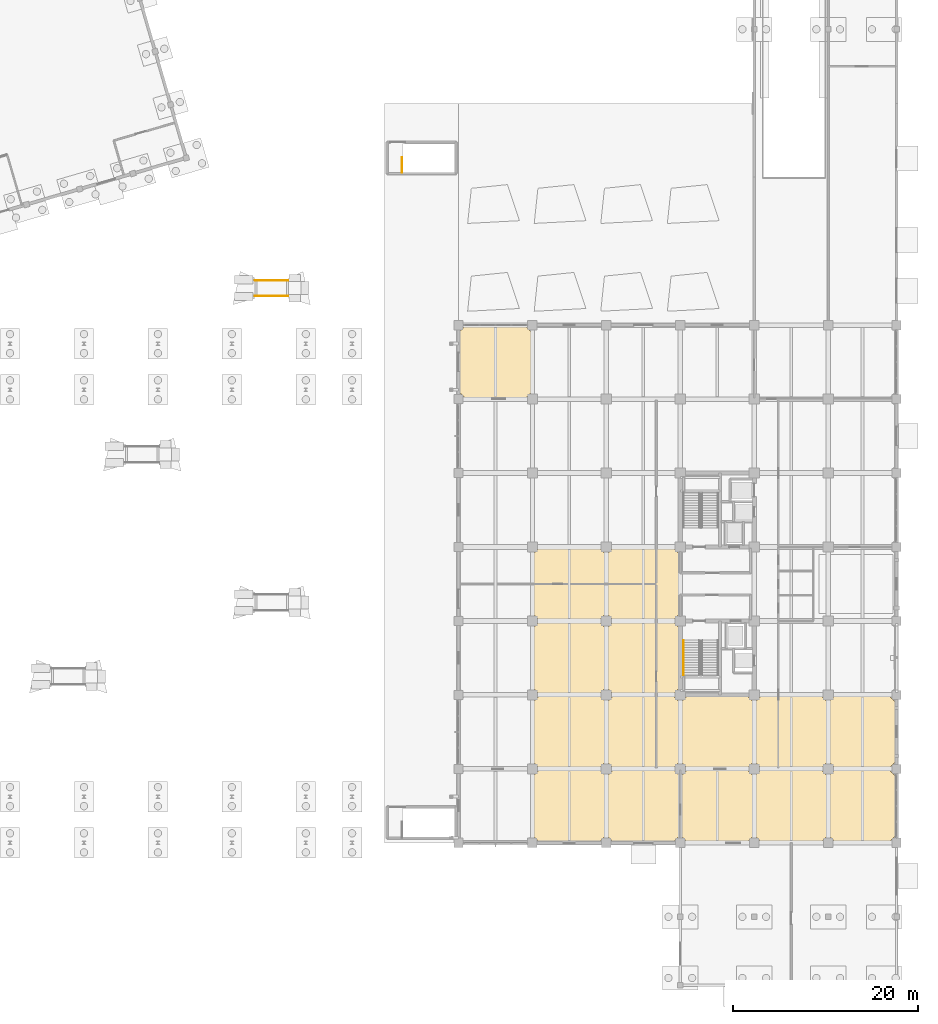
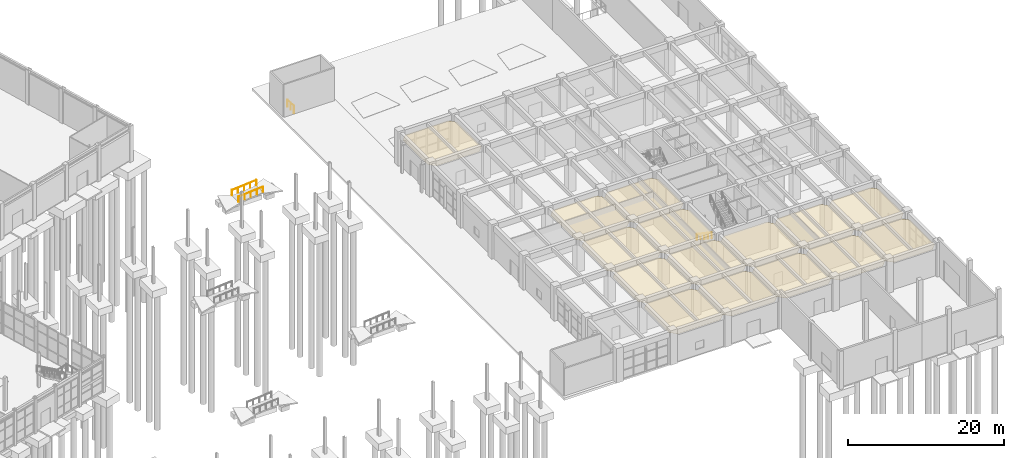
# One storey, part 86 of 90: 15 coverings, 4 railings.
"""IFC4 building model written with IfcOpenShell, lengths in metres."""

from ifc_helpers import new_model, si_unit, direction, frame, origin, origin_2d, place, context, subcontext, project, spatial, polyline, circle, outline, extrude, material, layer, layer_set, type_object, element, save


model = new_model("IFC4")

# Units and contexts
model_context = context("Model", 3, precision=1e-05, world=origin(), true_north=direction((0.0, 1.0)))
body_context = subcontext(model_context, "Body", "Model", "MODEL_VIEW")
ifc_project = project(units=[si_unit("LENGTHUNIT", "METRE"), si_unit("AREAUNIT", "SQUARE_METRE"), si_unit("VOLUMEUNIT", "CUBIC_METRE"), si_unit("PLANEANGLEUNIT", "RADIAN"), si_unit("MASSUNIT", "GRAM", prefix="KILO")], contexts=[model_context])

# Site, building, storey
site_placement = place(None, origin())
site = spatial("IfcSite", under=ifc_project, at=site_placement, CompositionType="ELEMENT")
building_placement = place(site_placement, origin())
building = spatial("IfcBuilding", under=site, at=building_placement, Name="Canggui Botanical Conservatory", CompositionType="ELEMENT")
storey_placement = place(building_placement, origin())
storey = spatial("IfcBuildingStorey", under=building, at=storey_placement, Name="L01", CompositionType="ELEMENT", Elevation=0.0)

# Coverings
ifc_material_1 = material(Name="Mineral Fibre Acoustic Board")
ifc_layer_1 = layer(ifc_material_1, 0.014892578125, Name="Mineral Fibre Acoustic Board")
ifc_layer_set_1 = layer_set([ifc_layer_1], Name="Mineral Fibre Acoustic Board")
covering_type_1 = type_object("IfcCoveringType", Name="COV-CEIL-15", PredefinedType="CEILING", material=ifc_layer_set_1)
covering_1_placement = place(storey_placement, frame((0.0, 0.0, 4.155029296875)))
element("IfcCovering", 1, at=covering_1_placement, inside=storey, type_object=covering_type_1, Name="Suspended Acoustic Ceiling L01-130-74", PredefinedType="CEILING", context=body_context, shape_type="SweptSolid", body=[
    extrude(outline(polyline([(130.85009765625, 74.0), (137.14990234375, 74.0), (138.0, 74.85009765625), (138.0, 81.14990234375), (137.14990234375, 82.0), (130.85009765625, 82.0), (130.0, 81.14990234375), (130.0, 74.85009765625), (130.85009765625, 74.0)])), origin(), (0.0, 0.0, 1.0), 0.014892578125),
])
covering_2_placement = place(storey_placement, frame((0.0, 0.0, 4.155029296875)))
element("IfcCovering", 2, at=covering_2_placement, inside=storey, type_object=covering_type_1, Name="Suspended Acoustic Ceiling L01-138-34", PredefinedType="CEILING", context=body_context, shape_type="SweptSolid", body=[
    extrude(outline(polyline([(138.85009765625, 34.0), (145.14990234375, 34.0), (146.0, 34.85009765625), (146.0, 41.14990234375), (145.14990234375, 42.0), (138.85009765625, 42.0), (138.0, 41.14990234375), (138.0, 34.85009765625), (138.85009765625, 34.0)])), origin(), (0.0, 0.0, 1.0), 0.014892578125),
])
covering_3_placement = place(storey_placement, frame((0.0, 0.0, 4.155029296875)))
element("IfcCovering", 3, at=covering_3_placement, inside=storey, type_object=covering_type_1, Name="Suspended Acoustic Ceiling L01-138-50", PredefinedType="CEILING", context=body_context, shape_type="SweptSolid", body=[
    extrude(outline(polyline([(138.85009765625, 50.0), (145.14990234375, 50.0), (146.0, 50.85009765625), (146.0, 57.14990234375), (145.14990234375, 58.0), (138.85009765625, 58.0), (138.0, 57.14990234375), (138.0, 50.85009765625), (138.85009765625, 50.0)])), origin(), (0.0, 0.0, 1.0), 0.014892578125),
])
covering_4_placement = place(storey_placement, frame((0.0, 0.0, 4.155029296875)))
element("IfcCovering", 4, at=covering_4_placement, inside=storey, type_object=covering_type_1, Name="Suspended Acoustic Ceiling L01-146-26", PredefinedType="CEILING", context=body_context, shape_type="SweptSolid", body=[
    extrude(outline(polyline([(146.85009765625, 26.0), (153.14990234375, 26.0), (154.0, 26.85009765625), (154.0, 33.14990234375), (153.14990234375, 34.0), (146.85009765625, 34.0), (146.0, 33.14990234375), (146.0, 26.85009765625), (146.85009765625, 26.0)])), origin(), (0.0, 0.0, 1.0), 0.014892578125),
])
covering_5_placement = place(storey_placement, frame((0.0, 0.0, 4.155029296875)))
element("IfcCovering", 5, at=covering_5_placement, inside=storey, type_object=covering_type_1, Name="Suspended Acoustic Ceiling L01-146-42", PredefinedType="CEILING", context=body_context, shape_type="SweptSolid", body=[
    extrude(outline(polyline([(146.85009765625, 42.0), (153.14990234375, 42.0), (154.0, 42.85009765625), (154.0, 49.14990234375), (153.14990234375, 50.0), (146.85009765625, 50.0), (146.0, 49.14990234375), (146.0, 42.85009765625), (146.85009765625, 42.0)])), origin(), (0.0, 0.0, 1.0), 0.014892578125),
])
covering_6_placement = place(storey_placement, frame((0.0, 0.0, 4.155029296875)))
element("IfcCovering", 6, at=covering_6_placement, inside=storey, type_object=covering_type_1, Name="Suspended Acoustic Ceiling L01-154-34", PredefinedType="CEILING", context=body_context, shape_type="SweptSolid", body=[
    extrude(outline(polyline([(154.85009765625, 34.0), (161.14990234375, 34.0), (162.0, 34.85009765625), (162.0, 41.14990234375), (161.14990234375, 42.0), (154.85009765625, 42.0), (154.0, 41.14990234375), (154.0, 34.85009765625), (154.85009765625, 34.0)])), origin(), (0.0, 0.0, 1.0), 0.014892578125),
])
covering_7_placement = place(storey_placement, frame((0.0, 0.0, 4.155029296875)))
element("IfcCovering", 7, at=covering_7_placement, inside=storey, type_object=covering_type_1, Name="Suspended Acoustic Ceiling L01-162-26", PredefinedType="CEILING", context=body_context, shape_type="SweptSolid", body=[
    extrude(outline(polyline([(162.85009765625, 26.0), (169.14990234375, 26.0), (170.0, 26.85009765625), (170.0, 33.14990234375), (169.14990234375, 34.0), (162.85009765625, 34.0), (162.0, 33.14990234375), (162.0, 26.85009765625), (162.85009765625, 26.0)])), origin(), (0.0, 0.0, 1.0), 0.014892578125),
])
covering_8_placement = place(storey_placement, frame((0.0, 0.0, 4.155029296875)))
element("IfcCovering", 8, at=covering_8_placement, inside=storey, type_object=covering_type_1, Name="Suspended Acoustic Ceiling L01-170-34", PredefinedType="CEILING", context=body_context, shape_type="SweptSolid", body=[
    extrude(outline(polyline([(170.85009765625, 34.0), (176.5, 34.0), (177.35009765625, 34.85009765625), (177.35009765625, 41.14990234375), (176.5, 42.0), (170.85009765625, 42.0), (170.0, 41.14990234375), (170.0, 34.85009765625), (170.85009765625, 34.0)])), origin(), (0.0, 0.0, 1.0), 0.014892578125),
])
ifc_material_2 = material(Name="Perforated Gypsum Acoustic Panel")
ifc_layer_2 = layer(ifc_material_2, 0.02001953125, Name="Perforated Gypsum Acoustic Panel")
ifc_layer_set_2 = layer_set([ifc_layer_2], Name="Perforated Gypsum Acoustic Panel")
covering_type_2 = type_object("IfcCoveringType", Name="COV-CEIL-20", PredefinedType="CEILING", material=ifc_layer_set_2)
covering_9_placement = place(storey_placement, frame((0.0, 0.0, 4.14990234375)))
element("IfcCovering", 9, at=covering_9_placement, inside=storey, type_object=covering_type_2, Name="Suspended Acoustic Ceiling L01-138-26", PredefinedType="CEILING", context=body_context, shape_type="SweptSolid", body=[
    extrude(outline(polyline([(138.85009765625, 26.0), (145.14990234375, 26.0), (146.0, 26.85009765625), (146.0, 33.14990234375), (145.14990234375, 34.0), (138.85009765625, 34.0), (138.0, 33.14990234375), (138.0, 26.85009765625), (138.85009765625, 26.0)])), origin(), (0.0, 0.0, 1.0), 0.02001953125),
])
covering_10_placement = place(storey_placement, frame((0.0, 0.0, 4.14990234375)))
element("IfcCovering", 10, at=covering_10_placement, inside=storey, type_object=covering_type_2, Name="Suspended Acoustic Ceiling L01-138-42", PredefinedType="CEILING", context=body_context, shape_type="SweptSolid", body=[
    extrude(outline(polyline([(138.85009765625, 42.0), (145.14990234375, 42.0), (146.0, 42.85009765625), (146.0, 49.14990234375), (145.14990234375, 50.0), (138.85009765625, 50.0), (138.0, 49.14990234375), (138.0, 42.85009765625), (138.85009765625, 42.0)])), origin(), (0.0, 0.0, 1.0), 0.02001953125),
])
covering_11_placement = place(storey_placement, frame((0.0, 0.0, 4.14990234375)))
element("IfcCovering", 11, at=covering_11_placement, inside=storey, type_object=covering_type_2, Name="Suspended Acoustic Ceiling L01-146-34", PredefinedType="CEILING", context=body_context, shape_type="SweptSolid", body=[
    extrude(outline(polyline([(146.85009765625, 34.0), (153.14990234375, 34.0), (154.0, 34.85009765625), (154.0, 41.14990234375), (153.14990234375, 42.0), (146.85009765625, 42.0), (146.0, 41.14990234375), (146.0, 34.85009765625), (146.85009765625, 34.0)])), origin(), (0.0, 0.0, 1.0), 0.02001953125),
])
covering_12_placement = place(storey_placement, frame((0.0, 0.0, 4.14990234375)))
element("IfcCovering", 12, at=covering_12_placement, inside=storey, type_object=covering_type_2, Name="Suspended Acoustic Ceiling L01-146-50", PredefinedType="CEILING", context=body_context, shape_type="SweptSolid", body=[
    extrude(outline(polyline([(146.85009765625, 50.0), (153.14990234375, 50.0), (154.0, 50.85009765625), (154.0, 57.14990234375), (153.14990234375, 58.0), (146.85009765625, 58.0), (146.0, 57.14990234375), (146.0, 50.85009765625), (146.85009765625, 50.0)])), origin(), (0.0, 0.0, 1.0), 0.02001953125),
])
covering_13_placement = place(storey_placement, frame((0.0, 0.0, 4.14990234375)))
element("IfcCovering", 13, at=covering_13_placement, inside=storey, type_object=covering_type_2, Name="Suspended Acoustic Ceiling L01-154-26", PredefinedType="CEILING", context=body_context, shape_type="SweptSolid", body=[
    extrude(outline(polyline([(154.85009765625, 26.0), (161.14990234375, 26.0), (162.0, 26.85009765625), (162.0, 33.14990234375), (161.14990234375, 34.0), (154.85009765625, 34.0), (154.0, 33.14990234375), (154.0, 26.85009765625), (154.85009765625, 26.0)])), origin(), (0.0, 0.0, 1.0), 0.02001953125),
])
covering_14_placement = place(storey_placement, frame((0.0, 0.0, 4.14990234375)))
element("IfcCovering", 14, at=covering_14_placement, inside=storey, type_object=covering_type_2, Name="Suspended Acoustic Ceiling L01-162-34", PredefinedType="CEILING", context=body_context, shape_type="SweptSolid", body=[
    extrude(outline(polyline([(162.85009765625, 34.0), (169.14990234375, 34.0), (170.0, 34.85009765625), (170.0, 41.14990234375), (169.14990234375, 42.0), (162.85009765625, 42.0), (162.0, 41.14990234375), (162.0, 34.85009765625), (162.85009765625, 34.0)])), origin(), (0.0, 0.0, 1.0), 0.02001953125),
])
covering_15_placement = place(storey_placement, frame((0.0, 0.0, 4.14990234375)))
element("IfcCovering", 15, at=covering_15_placement, inside=storey, type_object=covering_type_2, Name="Suspended Acoustic Ceiling L01-170-26", PredefinedType="CEILING", context=body_context, shape_type="SweptSolid", body=[
    extrude(outline(polyline([(170.85009765625, 26.0), (176.5, 26.0), (177.35009765625, 26.85009765625), (177.35009765625, 33.14990234375), (176.5, 34.0), (170.85009765625, 34.0), (170.0, 33.14990234375), (170.0, 26.85009765625), (170.85009765625, 26.0)])), origin(), (0.0, 0.0, 1.0), 0.02001953125),
])

# Railings
ifc_material_3 = material(Name="Stainless Steel 304", Category="steel")
railing_type_1 = type_object("IfcRailingType", Name="RAIL-GUARD-1100", PredefinedType="BALUSTRADE", material=ifc_material_3)
railing_1_placement = place(storey_placement, frame((123.89990234375, 98.5, 0.0)))
element("IfcRailing", 16, at=railing_1_placement, inside=storey, type_object=railing_type_1, Name="L01 ST-G2 top well guard 1", PredefinedType="BALUSTRADE", context=body_context, shape_type="SweptSolid", body=[
    extrude(circle(Radius=0.02392578125, at=origin_2d()), frame((0.0, 0.0, 1.076171875), z_axis=(0.0, 1.0, 0.0), x_axis=(-1.0, 0.0, 0.0)), (0.0, 0.0, 1.0), 1.64990234375),
    extrude(circle(Radius=0.02099609375, at=origin_2d()), origin(), (0.0, 0.0, 1.0), 1.052001953125),
    extrude(circle(Radius=0.02099609375, at=origin_2d()), frame((0.0, 0.824951171875, 0.0)), (0.0, 0.0, 1.0), 1.052001953125),
    extrude(circle(Radius=0.02099609375, at=origin_2d()), frame((0.0, 1.64990234375, 0.0)), (0.0, 0.0, 1.0), 1.052001953125),
])
railing_type_2 = type_object("IfcRailingType", Name="RAIL-HAND-900", PredefinedType="HANDRAIL", material=ifc_material_3)
railing_2_placement = place(storey_placement, frame((154.35009765625, 47.919921875, 0.179931640625)))
element("IfcRailing", 17, at=railing_2_placement, inside=storey, type_object=railing_type_2, Name="L01 ST-T1 stair handrail 1", PredefinedType="HANDRAIL", context=body_context, shape_type="SweptSolid", body=[
    extrude(circle(Radius=0.02392578125, at=origin_2d()), frame((0.0, 0.0, 0.8759765625), z_axis=(0.0, -0.830133982261, 0.557563961797), x_axis=(1.0, 0.0, 0.0)), (0.0, 0.0, 1.0), 4.519775390625),
    extrude(circle(Radius=0.02099609375, at=origin_2d()), origin(), (0.0, 0.0, 1.0), 0.851806640625),
    extrude(circle(Radius=0.02099609375, at=origin_2d()), frame((0.0, -0.93798828125, 0.6298828125)), (0.0, 0.0, 1.0), 0.851806640625),
    extrude(circle(Radius=0.02099609375, at=origin_2d()), frame((0.0, -1.8759765625, 1.260009765625)), (0.0, 0.0, 1.0), 0.851806640625),
    extrude(circle(Radius=0.02099609375, at=origin_2d()), frame((0.0, -2.81396484375, 1.89013671875)), (0.0, 0.0, 1.0), 0.851806640625),
    extrude(circle(Radius=0.02099609375, at=origin_2d()), frame((0.0, -3.751953125, 2.52001953125)), (0.0, 0.0, 1.0), 0.851806640625),
])
for number, where, name in (
    (18, (108.0, 85.14990234375, -0.300048828125), "PR-04 Accessible Handrail S"),
    (19, (108.0, 86.85009765625, -0.300048828125), "PR-04 Accessible Handrail N"),
):
    element("IfcRailing", number, at=place(storey_placement, frame(where)), inside=storey, type_object=railing_type_2, Name=name, PredefinedType="HANDRAIL", context=body_context, shape_type="SweptSolid", body=[
        extrude(circle(Radius=0.02392578125, at=origin_2d()), frame((0.0, 0.0, 0.8759765625), z_axis=(0.996544826035, 0.0, 0.083056665618), x_axis=(0.0, 1.0, 0.0)), (0.0, 0.0, 1.0), 3.612548828125),
        extrude(circle(Radius=0.02099609375, at=origin_2d()), origin(), (0.0, 0.0, 1.0), 0.851806640625),
        extrude(circle(Radius=0.02099609375, at=origin_2d()), frame((0.89990234375, 0.0, 0.074951171875)), (0.0, 0.0, 1.0), 0.851806640625),
        extrude(circle(Radius=0.02099609375, at=origin_2d()), frame((1.800048828125, 0.0, 0.14990234375)), (0.0, 0.0, 1.0), 0.851806640625),
        extrude(circle(Radius=0.02099609375, at=origin_2d()), frame((2.7001953125, 0.0, 0.22509765625)), (0.0, 0.0, 1.0), 0.851806640625),
        extrude(circle(Radius=0.02099609375, at=origin_2d()), frame((3.60009765625, 0.0, 0.300048828125)), (0.0, 0.0, 1.0), 0.851806640625),
    ])

save(model, "model.ifc")
